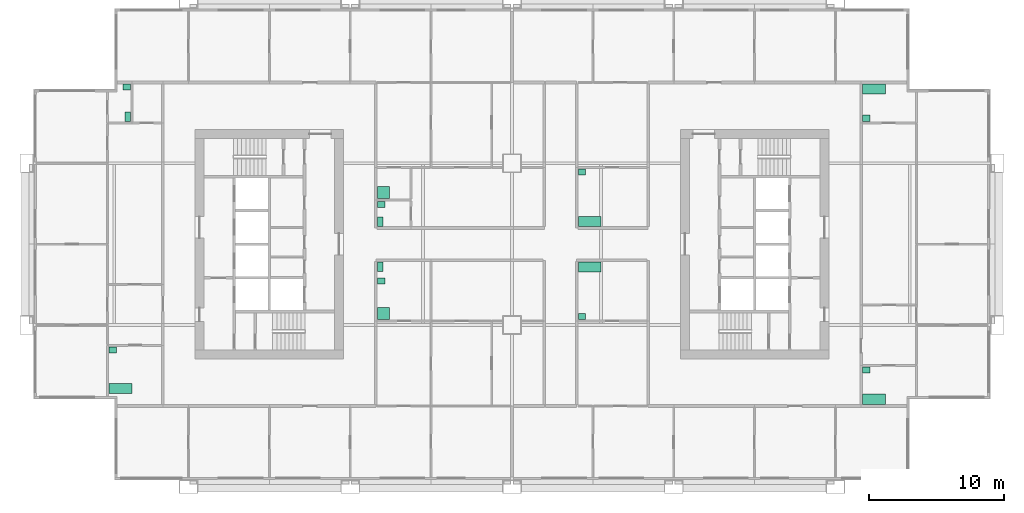
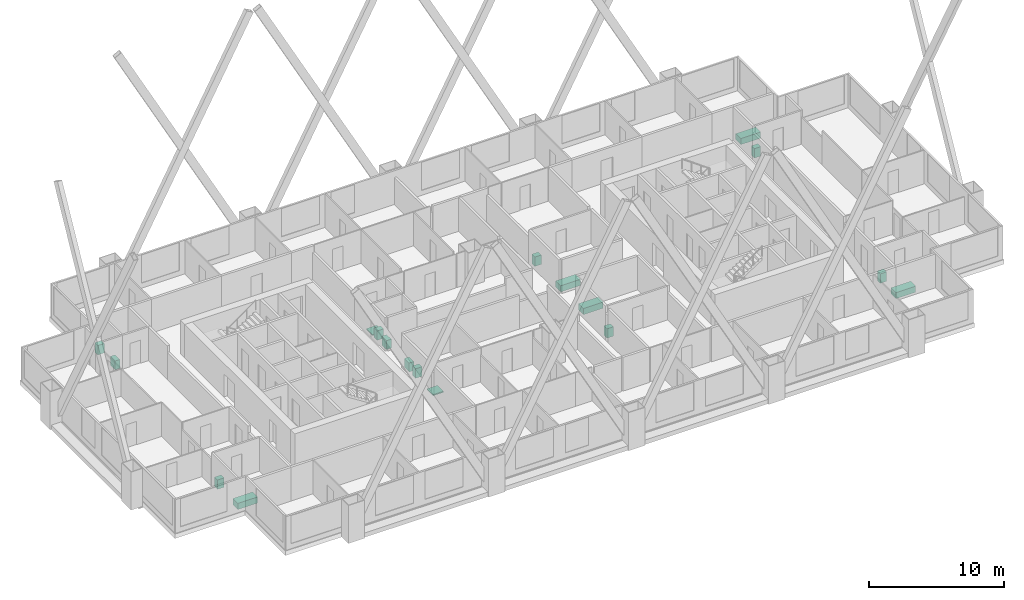
# One storey, part 11 of 11: 18 sanitary terminals.
"""IFC4 building model written with IfcOpenShell, lengths in metres."""

from ifc_helpers import new_model, si_unit, direction, frame, origin, origin_2d, place, context, subcontext, project, spatial, rectangle, extrude, material, type_object, element, save


model = new_model("IFC4")

# Units and contexts
model_context = context("Model", 3, precision=1e-05, world=origin(), true_north=direction((0.0, 1.0)))
body_context = subcontext(model_context, "Body", "Model", "MODEL_VIEW")
ifc_project = project(units=[si_unit("LENGTHUNIT", "METRE"), si_unit("AREAUNIT", "SQUARE_METRE"), si_unit("VOLUMEUNIT", "CUBIC_METRE"), si_unit("PLANEANGLEUNIT", "RADIAN"), si_unit("MASSUNIT", "GRAM", prefix="KILO")], contexts=[model_context])

# Site, building, storey
site_placement = place(None, origin())
site = spatial("IfcSite", under=ifc_project, at=site_placement, CompositionType="ELEMENT")
building_placement = place(site_placement, origin())
building = spatial("IfcBuilding", under=site, at=building_placement, Name="Kitamizu Gate Tower and Museum", CompositionType="ELEMENT")
storey_placement = place(building_placement, frame((0.0, 0.0, 131.10009765625)))
storey = spatial("IfcBuildingStorey", under=building, at=storey_placement, Name="L34", CompositionType="ELEMENT", Elevation=131.10009765625)

# Sanitary terminals
ifc_material_1 = material(Name="Acrylic")
sanitary_terminal_type_1 = type_object("IfcSanitaryTerminalType", Name="Bath", PredefinedType="BATH", material=ifc_material_1)
for number, where, z_axis, x_axis, name in (
    (1, (41.77001953125, 28.304931640625, 0.0009765625), (0.0, 0.0, 1.0), (1.0, 0.0, 0.0), "Bath Bathroom and WC 34B"),
    (2, (6.969970703125, 19.294921875, 0.0009765625), (0.0, 0.0, 1.0), (1.0, 0.0, 0.0), "Bath Bathroom 34D"),
    (3, (41.77001953125, 31.695068359375, 0.0009765625), (0.0, 0.0, 1.0), (1.0, 0.0, 0.0), "Bath Bathroom and WC 34E"),
    (4, (62.8701171875, 18.4951171875, 0.0009765625), (0.0, 0.0, 1.0), (1.0, 0.0, 0.0), "Bath Bathroom and WC 34F"),
    (5, (62.8701171875, 41.5048828125, 0.0009765625), (0.0, 0.0, 1.0), (1.0, 0.0, 0.0), "Bath Bathroom 34F"),
):
    element("IfcSanitaryTerminal", number, at=place(storey_placement, frame(where, z_axis=z_axis, x_axis=x_axis)), inside=storey, type_object=sanitary_terminal_type_1, Name=name, PredefinedType="BATH", context=body_context, shape_type="SweptSolid", body=[
        extrude(rectangle(XDim=1.699951171875, YDim=0.75, at=origin_2d()), origin(), (0.0, 0.0, 1.0), 0.550048828125),
    ])
ifc_material_2 = material(Name="Acrylic")
sanitary_terminal_type_2 = type_object("IfcSanitaryTerminalType", Name="Shower tray", PredefinedType="SHOWER", material=ifc_material_2)
for number, where, z_axis, x_axis, name in (
    (6, (26.469970703125, 24.8701171875, 0.000732421875), (0.0, 0.0, 1.0), (1.0, 0.0, 0.0), "Shower tray En-suite bathroom and WC 34A"),
    (7, (26.469970703125, 33.846923828125, 0.000732421875), (0.0, 0.0, 1.0), (1.0, 0.0, 0.0), "Shower tray Shower room 34C"),
):
    element("IfcSanitaryTerminal", number, at=place(storey_placement, frame(where, z_axis=z_axis, x_axis=x_axis)), inside=storey, type_object=sanitary_terminal_type_2, Name=name, PredefinedType="SHOWER", context=body_context, shape_type="SweptSolid", body=[
        extrude(rectangle(XDim=0.89990234375, YDim=0.89990234375, at=origin_2d()), origin(), (0.0, 0.0, 1.0), 0.10009765625),
    ])
ifc_material_3 = material(Name="Vitreous china")
sanitary_terminal_type_3 = type_object("IfcSanitaryTerminalType", Name="Wash hand basin", PredefinedType="WASHHANDBASIN", material=ifc_material_3)
for number, where, z_axis, x_axis, name in (
    (8, (26.294921875, 27.2548828125, 0.000732421875), (0.0, 0.0, 1.0), (1.0, 0.0, 0.0), "Wash hand basin En-suite bathroom and WC 34A"),
    (9, (41.195068359375, 24.64501953125, 0.000732421875), (0.0, 0.0, 1.0), (1.0, 0.0, 0.0), "Wash hand basin Bathroom and WC 34B"),
    (10, (26.294921875, 32.931884765625, 0.000732421875), (0.0, 0.0, 1.0), (1.0, 0.0, 0.0), "Wash hand basin WC 34C"),
    (11, (6.39501953125, 22.155029296875, 0.000732421875), (0.0, 0.0, 1.0), (1.0, 0.0, 0.0), "Wash hand basin Bathroom 34D"),
    (12, (7.405029296875, 41.655029296875, 0.000732421875), (0.0, 0.0, 1.0), (1.0, 0.0, 0.0), "Wash hand basin WC 34D"),
    (13, (41.195068359375, 35.35498046875, 0.000732421875), (0.0, 0.0, 1.0), (1.0, 0.0, 0.0), "Wash hand basin Bathroom and WC 34E"),
    (14, (62.294921875, 20.655029296875, 0.000732421875), (0.0, 0.0, 1.0), (1.0, 0.0, 0.0), "Wash hand basin Bathroom and WC 34F"),
    (15, (62.294921875, 39.344970703125, 0.000732421875), (0.0, 0.0, 1.0), (1.0, 0.0, 0.0), "Wash hand basin Bathroom 34F"),
):
    element("IfcSanitaryTerminal", number, at=place(storey_placement, frame(where, z_axis=z_axis, x_axis=x_axis)), inside=storey, type_object=sanitary_terminal_type_3, Name=name, PredefinedType="WASHHANDBASIN", context=body_context, shape_type="SweptSolid", body=[
        extrude(rectangle(XDim=0.550048828125, YDim=0.449951171875, at=origin_2d()), origin(), (0.0, 0.0, 1.0), 0.85009765625),
    ])
ifc_material_4 = material(Name="Vitreous china")
sanitary_terminal_type_4 = type_object("IfcSanitaryTerminalType", Name="Water closet", PredefinedType="TOILETPAN", material=ifc_material_4)
for number, where, z_axis, x_axis, name in (
    (16, (26.219970703125, 28.330078125, 0.0009765625), (0.0, 0.0, 1.0), (1.0, 0.0, 0.0), "Water closet En-suite bathroom and WC 34A"),
    (17, (26.219970703125, 31.669921875, 0.0009765625), (0.0, 0.0, 1.0), (1.0, 0.0, 0.0), "Water closet WC 34C"),
    (18, (7.47998046875, 39.469970703125, 0.0009765625), (0.0, 0.0, 1.0), (1.0, 0.0, 0.0), "Water closet WC 34D"),
):
    element("IfcSanitaryTerminal", number, at=place(storey_placement, frame(where, z_axis=z_axis, x_axis=x_axis)), inside=storey, type_object=sanitary_terminal_type_4, Name=name, PredefinedType="TOILETPAN", context=body_context, shape_type="SweptSolid", body=[
        extrude(rectangle(XDim=0.39990234375, YDim=0.699951171875, at=origin_2d()), origin(), (0.0, 0.0, 1.0), 0.800048828125),
    ])

save(model, "model.ifc")
